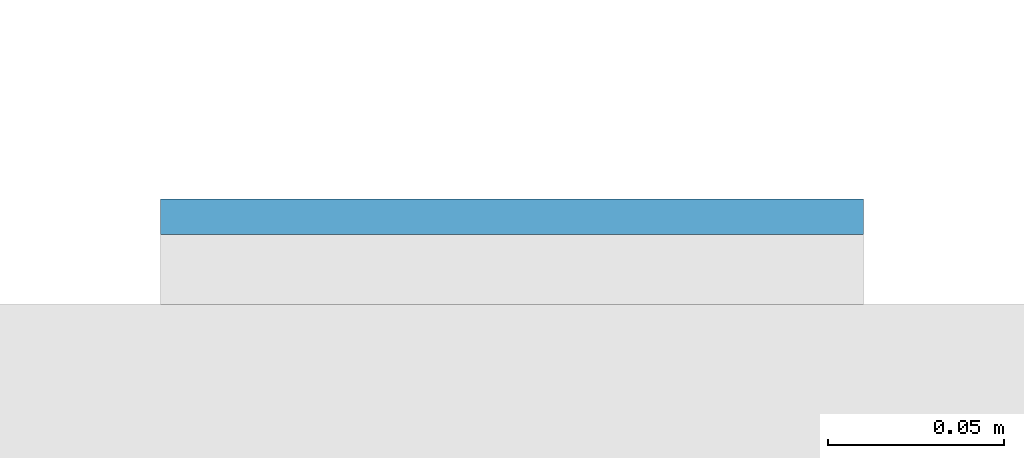
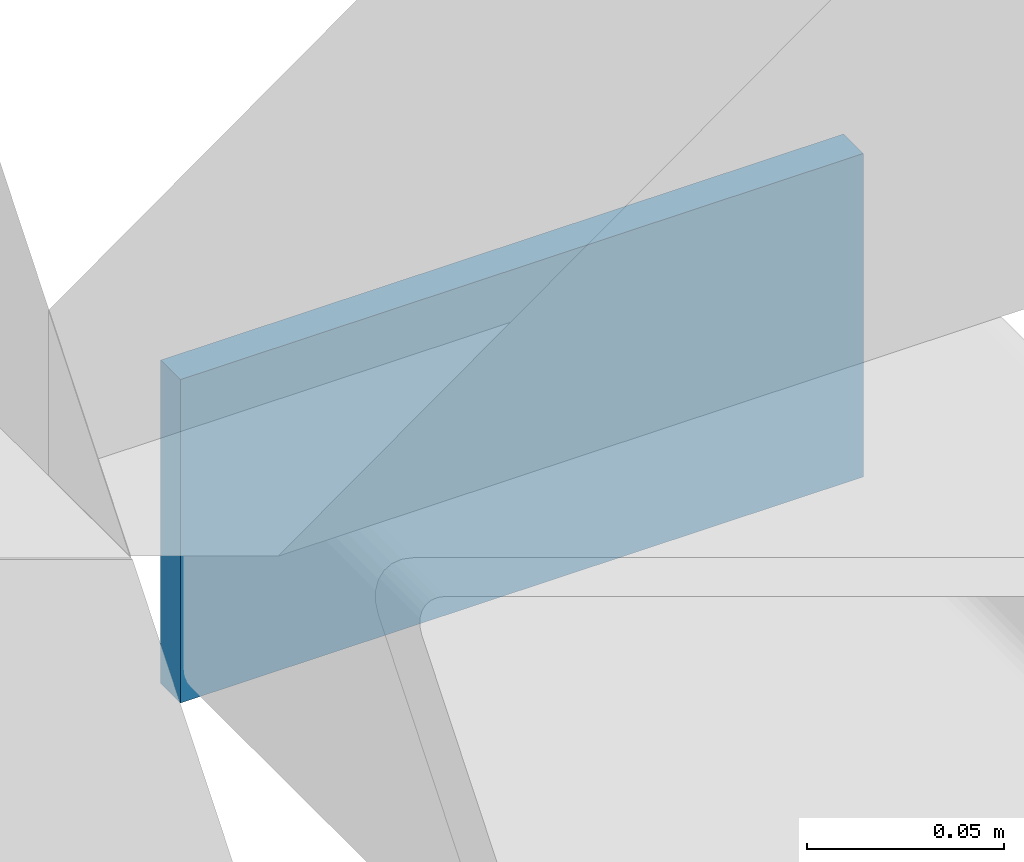
# One storey, part 13 of 22: 1 plate.
"""IFC4 building model written with IfcOpenShell, lengths in metres."""

from ifc_helpers import new_model, si_unit, direction, frame, origin, origin_2d, place, context, subcontext, project, spatial, rectangle, extrude, material, layer, layer_set, type_object, element, save


model = new_model("IFC4")

# Units and contexts
model_context = context("Model", 3, precision=1e-05, world=origin(), true_north=direction((0.0, 1.0)))
body_context = subcontext(model_context, "Body", "Model", "MODEL_VIEW")
ifc_project = project(units=[si_unit("LENGTHUNIT", "METRE"), si_unit("AREAUNIT", "SQUARE_METRE"), si_unit("VOLUMEUNIT", "CUBIC_METRE"), si_unit("PLANEANGLEUNIT", "RADIAN"), si_unit("MASSUNIT", "GRAM", prefix="KILO")], contexts=[model_context])

# Site, building, storey
site_placement = place(None, origin())
site = spatial("IfcSite", under=ifc_project, at=site_placement, CompositionType="ELEMENT")
building_placement = place(site_placement, origin())
building = spatial("IfcBuilding", under=site, at=building_placement, Name="Cleftline Residences", CompositionType="ELEMENT")
storey_placement = place(building_placement, frame((0.0, 0.0, 29.60009765625)))
storey = spatial("IfcBuildingStorey", under=building, at=storey_placement, Name="L06", CompositionType="ELEMENT", Elevation=29.60009765625)

# Plate
ifc_material = material(Name="Steel S355, hot-dip galvanised", Category="steel")
ifc_layer = layer(ifc_material, 0.010009765625)
ifc_layer_set = layer_set([ifc_layer], Name="BAGUETTE CARRIER END PLATE 200X100X10")
plate_type = type_object("IfcPlateType", Name="BAGUETTE CARRIER END PLATE 200X100X10", PredefinedType="USERDEFINED", material=ifc_layer_set)
plate_placement = place(storey_placement, frame((66.85009765625, 44.304931640625, -0.10009765625), z_axis=(0.0, 0.0, 1.0), x_axis=(1.0, 0.0, 0.0)))
element("IfcPlate", 1, at=plate_placement, inside=storey, type_object=plate_type, Name="Baguette carrier end plate", ObjectType="BAGUETTE CARRIER END PLATE", PredefinedType="USERDEFINED", context=body_context, shape_type="SweptSolid", body=[
    extrude(rectangle(XDim=0.199951171875, YDim=0.010009765625, at=origin_2d()), origin(), (0.0, 0.0, 1.0), 0.10009765625),
])

save(model, "model.ifc")
